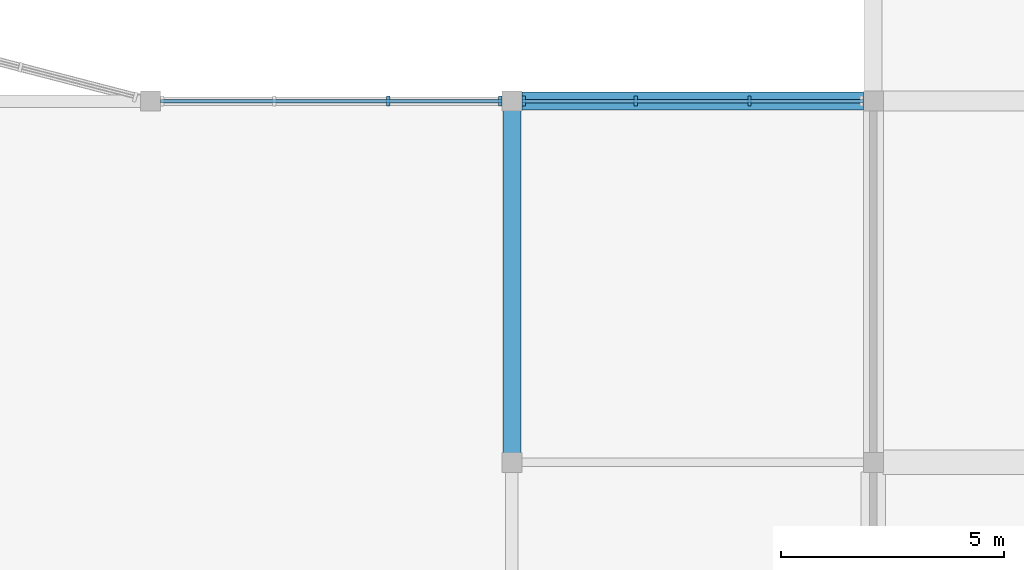
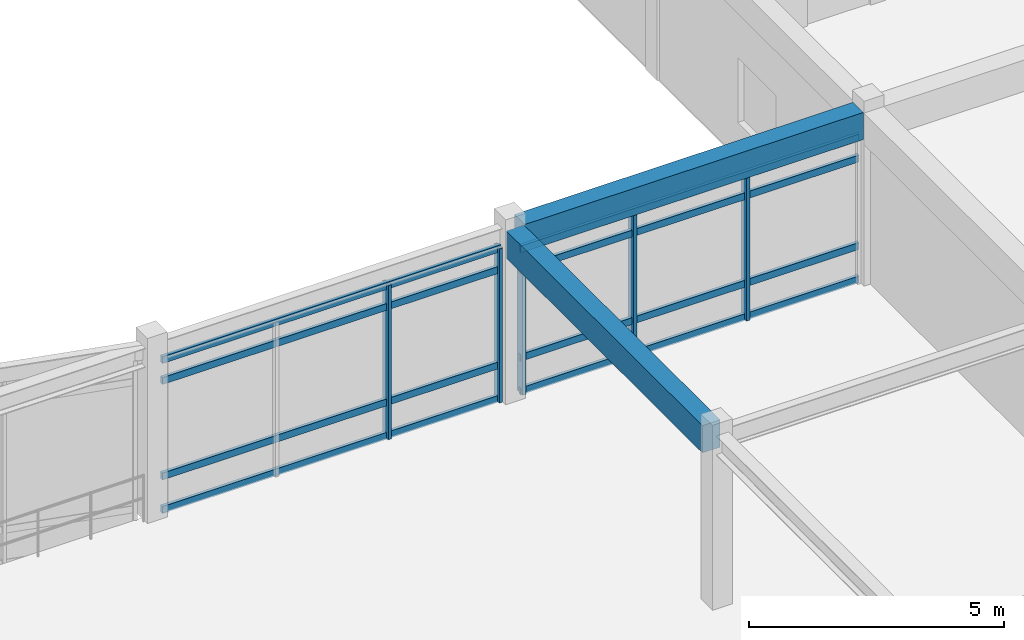
# One storey, part 28 of 89: 13 members, 2 beams, 2 elements without a shape of their own.
"""IFC4 building model written with IfcOpenShell, lengths in metres."""

from ifc_helpers import new_model, si_unit, direction, frame, origin, origin_2d, place, context, subcontext, project, spatial, rectangle, extrude, material, layer, layer_set, material_profile, profile_set, type_object, element, aggregate, save


model = new_model("IFC4")

# Units and contexts
model_context = context("Model", 3, precision=1e-05, world=origin(), true_north=direction((0.0, 1.0)))
body_context = subcontext(model_context, "Body", "Model", "MODEL_VIEW")
ifc_project = project(units=[si_unit("LENGTHUNIT", "METRE"), si_unit("AREAUNIT", "SQUARE_METRE"), si_unit("VOLUMEUNIT", "CUBIC_METRE"), si_unit("PLANEANGLEUNIT", "RADIAN"), si_unit("MASSUNIT", "GRAM", prefix="KILO")], contexts=[model_context])

# Site, building, storey
site_placement = place(None, origin())
site = spatial("IfcSite", under=ifc_project, at=site_placement, CompositionType="ELEMENT")
building_placement = place(site_placement, origin())
building = spatial("IfcBuilding", under=site, at=building_placement, Name="Vaudrelin Polytechnic", CompositionType="ELEMENT")
storey_placement = place(building_placement, frame((0.0, 0.0, 9.68994140625)))
storey = spatial("IfcBuildingStorey", under=building, at=storey_placement, Name="L02", CompositionType="ELEMENT", Elevation=9.68994140625)

# Beams
ifc_material_1 = material(Name="Concrete 40 MPa", Category="concrete")
ifc_material_profile_1 = material_profile(ifc_material_1, rectangle(XDim=0.39990234375, YDim=0.64990234375, at=origin_2d()), Name="RC400x650")
ifc_profile_set_1 = profile_set([ifc_material_profile_1], Name="Concrete 40 MPa")
beam_type = type_object("IfcBeamType", Name="BM-SP-RC4065", PredefinedType="SPANDREL", material=ifc_profile_set_1)
beam_1_placement = place(storey_placement, frame((121.5, 40.7099609375, 3.81494140625), z_axis=(0.0, 1.0, 0.0), x_axis=(-1.0, 0.0, 0.0)))
element("IfcBeam", 1, at=beam_1_placement, inside=storey, type_object=beam_type, Name="L02 Y-beam 16-6", PredefinedType="SPANDREL", context=body_context, shape_type="SweptSolid", body=[
    extrude(rectangle(XDim=0.39990234375, YDim=0.64990234375, at=origin_2d()), origin(), (0.0, 0.0, 1.0), 7.679931640625),
])
beam_2_placement = place(storey_placement, frame((121.720947265625, 48.60009765625, 3.81494140625), z_axis=(1.0, 0.0, 0.0), x_axis=(0.0, 1.0, 0.0)))
element("IfcBeam", 2, at=beam_2_placement, inside=storey, type_object=beam_type, Name="L02 X-beam 16-7", PredefinedType="SPANDREL", context=body_context, shape_type="SweptSolid", body=[
    extrude(rectangle(XDim=0.39990234375, YDim=0.64990234375, at=origin_2d()), origin(), (0.0, 0.0, 1.0), 7.657958984375),
])

# Curtain wall, members
ifc_material_2 = material(Name="Thermally broken anodised aluminium AA 6063-T6 and low-e triple glazing", Category="aluminium")
ifc_layer = layer(ifc_material_2, 0.199951171875)
ifc_layer_set = layer_set([ifc_layer], Name="Thermally broken anodised aluminium AA 6063-T6 and low-e triple glazing")
curtain_wall_type = type_object("IfcCurtainWallType", Name="CW-CW-WG", PredefinedType="USERDEFINED", material=ifc_layer_set)
curtain_wall_1_placement = place(storey_placement, origin())
curtain_wall_1 = element("IfcCurtainWall", 3, at=curtain_wall_1_placement, inside=storey, type_object=curtain_wall_type, Name="Curtain wall L02 CT_S_08", ObjectType="CURTAIN WALL", PredefinedType="USERDEFINED")
ifc_material_3 = material(Name="Anodised aluminium AA 6063-T6", Category="aluminium")
ifc_material_profile_2 = material_profile(ifc_material_3, rectangle(XDim=0.074951171875, YDim=0.219970703125, at=origin_2d()), Name="CWM-75x220")
ifc_profile_set_2 = profile_set([ifc_material_profile_2], Name="Anodised aluminium AA 6063-T6")
member_type_1 = type_object("IfcMemberType", Name="MEM-CWM-220", PredefinedType="MULLION", material=ifc_profile_set_2)
member_1_placement = place(storey_placement, frame((118.7255859375, 48.60009765625, 0.0), z_axis=(0.0, 0.0, 1.0), x_axis=(1.0, 0.0, 0.0)))
member_1 = element("IfcMember", 4, at=member_1_placement, type_object=member_type_1, Name="CT_S_08 mullion 3", PredefinedType="MULLION", context=body_context, shape_type="SweptSolid", body=[
    extrude(rectangle(XDim=0.074951171875, YDim=0.219970703125, at=origin_2d()), origin(), (0.0, 0.0, 1.0), 3.68212890625),
])
member_2_placement = place(storey_placement, frame((121.237060546875, 48.60009765625, 0.0), z_axis=(0.0, 0.0, 1.0), x_axis=(1.0, 0.0, 0.0)))
member_2 = element("IfcMember", 5, at=member_2_placement, type_object=member_type_1, Name="CT_S_08 mullion 4", PredefinedType="MULLION", context=body_context, shape_type="SweptSolid", body=[
    extrude(rectangle(XDim=0.074951171875, YDim=0.219970703125, at=origin_2d()), origin(), (0.0, 0.0, 1.0), 3.68212890625),
])

curtain_wall_2_placement = place(storey_placement, origin())
curtain_wall_2 = element("IfcCurtainWall", 6, at=curtain_wall_2_placement, inside=storey, type_object=curtain_wall_type, Name="Curtain wall L02 CT_S_09", ObjectType="CURTAIN WALL", PredefinedType="USERDEFINED")
member_3_placement = place(storey_placement, frame((121.762939453125, 48.60009765625, 0.0), z_axis=(0.0, 0.0, 1.0), x_axis=(1.0, 0.0, 0.0)))
member_3 = element("IfcMember", 7, at=member_3_placement, type_object=member_type_1, Name="CT_S_09 mullion 1", PredefinedType="MULLION", context=body_context, shape_type="SweptSolid", body=[
    extrude(rectangle(XDim=0.074951171875, YDim=0.219970703125, at=origin_2d()), origin(), (0.0, 0.0, 1.0), 3.491943359375),
])
member_4_placement = place(storey_placement, frame((124.2744140625, 48.60009765625, 0.0), z_axis=(0.0, 0.0, 1.0), x_axis=(1.0, 0.0, 0.0)))
member_4 = element("IfcMember", 8, at=member_4_placement, type_object=member_type_1, Name="CT_S_09 mullion 2", PredefinedType="MULLION", context=body_context, shape_type="SweptSolid", body=[
    extrude(rectangle(XDim=0.074951171875, YDim=0.219970703125, at=origin_2d()), origin(), (0.0, 0.0, 1.0), 3.491943359375),
])
member_5_placement = place(storey_placement, frame((126.82568359375, 48.60009765625, 0.0), z_axis=(0.0, 0.0, 1.0), x_axis=(1.0, 0.0, 0.0)))
member_5 = element("IfcMember", 9, at=member_5_placement, type_object=member_type_1, Name="CT_S_09 mullion 3", PredefinedType="MULLION", context=body_context, shape_type="SweptSolid", body=[
    extrude(rectangle(XDim=0.074951171875, YDim=0.219970703125, at=origin_2d()), origin(), (0.0, 0.0, 1.0), 3.491943359375),
])

# Member
ifc_material_profile_3 = material_profile(ifc_material_3, rectangle(XDim=0.074951171875, YDim=0.1650390625, at=origin_2d()), Name="CWT-75x165")
ifc_profile_set_3 = profile_set([ifc_material_profile_3], Name="Anodised aluminium AA 6063-T6")
member_type_2 = type_object("IfcMemberType", Name="MEM-CWT-165", PredefinedType="USERDEFINED", material=ifc_profile_set_3)
member_6_placement = place(storey_placement, frame((113.623046875, 48.60009765625, 0.050048828125), z_axis=(1.0, 0.0, 0.0), x_axis=(0.0, 1.0, 0.0)))
member_6 = element("IfcMember", 10, at=member_6_placement, type_object=member_type_2, Name="CT_S_08 transom 1", ObjectType="TRANSOM", PredefinedType="USERDEFINED", context=body_context, shape_type="SweptSolid", body=[
    extrude(rectangle(XDim=0.074951171875, YDim=0.1650390625, at=origin_2d()), origin(), (0.0, 0.0, 1.0), 7.654052734375),
])

member_7_placement = place(storey_placement, frame((113.623046875, 48.60009765625, 0.85009765625), z_axis=(1.0, 0.0, 0.0), x_axis=(0.0, 1.0, 0.0)))
member_7 = element("IfcMember", 11, at=member_7_placement, type_object=member_type_2, Name="CT_S_08 transom 2", ObjectType="TRANSOM", PredefinedType="USERDEFINED", context=body_context, shape_type="SweptSolid", body=[
    extrude(rectangle(XDim=0.074951171875, YDim=0.1650390625, at=origin_2d()), origin(), (0.0, 0.0, 1.0), 7.654052734375),
])

member_8_placement = place(storey_placement, frame((113.623046875, 48.60009765625, 3.132080078125), z_axis=(1.0, 0.0, 0.0), x_axis=(0.0, 1.0, 0.0)))
member_8 = element("IfcMember", 12, at=member_8_placement, type_object=member_type_2, Name="CT_S_08 transom 3", ObjectType="TRANSOM", PredefinedType="USERDEFINED", context=body_context, shape_type="SweptSolid", body=[
    extrude(rectangle(XDim=0.074951171875, YDim=0.1650390625, at=origin_2d()), origin(), (0.0, 0.0, 1.0), 7.654052734375),
])

member_9_placement = place(storey_placement, frame((113.623046875, 48.60009765625, 3.632080078125), z_axis=(1.0, 0.0, 0.0), x_axis=(0.0, 1.0, 0.0)))
member_9 = element("IfcMember", 13, at=member_9_placement, type_object=member_type_2, Name="CT_S_08 transom 4", ObjectType="TRANSOM", PredefinedType="USERDEFINED", context=body_context, shape_type="SweptSolid", body=[
    extrude(rectangle(XDim=0.074951171875, YDim=0.1650390625, at=origin_2d()), origin(), (0.0, 0.0, 1.0), 7.654052734375),
])

aggregate(curtain_wall_1, [member_1, member_2, member_6, member_7, member_8, member_9])

member_10_placement = place(storey_placement, frame((121.722900390625, 48.60009765625, 0.050048828125), z_axis=(1.0, 0.0, 0.0), x_axis=(0.0, 1.0, 0.0)))
member_10 = element("IfcMember", 14, at=member_10_placement, type_object=member_type_2, Name="CT_S_09 transom 1", ObjectType="TRANSOM", PredefinedType="USERDEFINED", context=body_context, shape_type="SweptSolid", body=[
    extrude(rectangle(XDim=0.074951171875, YDim=0.1650390625, at=origin_2d()), origin(), (0.0, 0.0, 1.0), 7.654052734375),
])

member_11_placement = place(storey_placement, frame((121.722900390625, 48.60009765625, 0.85009765625), z_axis=(1.0, 0.0, 0.0), x_axis=(0.0, 1.0, 0.0)))
member_11 = element("IfcMember", 15, at=member_11_placement, type_object=member_type_2, Name="CT_S_09 transom 2", ObjectType="TRANSOM", PredefinedType="USERDEFINED", context=body_context, shape_type="SweptSolid", body=[
    extrude(rectangle(XDim=0.074951171875, YDim=0.1650390625, at=origin_2d()), origin(), (0.0, 0.0, 1.0), 7.654052734375),
])

member_12_placement = place(storey_placement, frame((121.722900390625, 48.60009765625, 2.942138671875), z_axis=(1.0, 0.0, 0.0), x_axis=(0.0, 1.0, 0.0)))
member_12 = element("IfcMember", 16, at=member_12_placement, type_object=member_type_2, Name="CT_S_09 transom 3", ObjectType="TRANSOM", PredefinedType="USERDEFINED", context=body_context, shape_type="SweptSolid", body=[
    extrude(rectangle(XDim=0.074951171875, YDim=0.1650390625, at=origin_2d()), origin(), (0.0, 0.0, 1.0), 7.654052734375),
])

member_13_placement = place(storey_placement, frame((121.722900390625, 48.60009765625, 3.442138671875), z_axis=(1.0, 0.0, 0.0), x_axis=(0.0, 1.0, 0.0)))
member_13 = element("IfcMember", 17, at=member_13_placement, type_object=member_type_2, Name="CT_S_09 transom 4", ObjectType="TRANSOM", PredefinedType="USERDEFINED", context=body_context, shape_type="SweptSolid", body=[
    extrude(rectangle(XDim=0.074951171875, YDim=0.1650390625, at=origin_2d()), origin(), (0.0, 0.0, 1.0), 7.654052734375),
])

aggregate(curtain_wall_2, [member_3, member_4, member_5, member_10, member_11, member_12, member_13])

save(model, "model.ifc")
